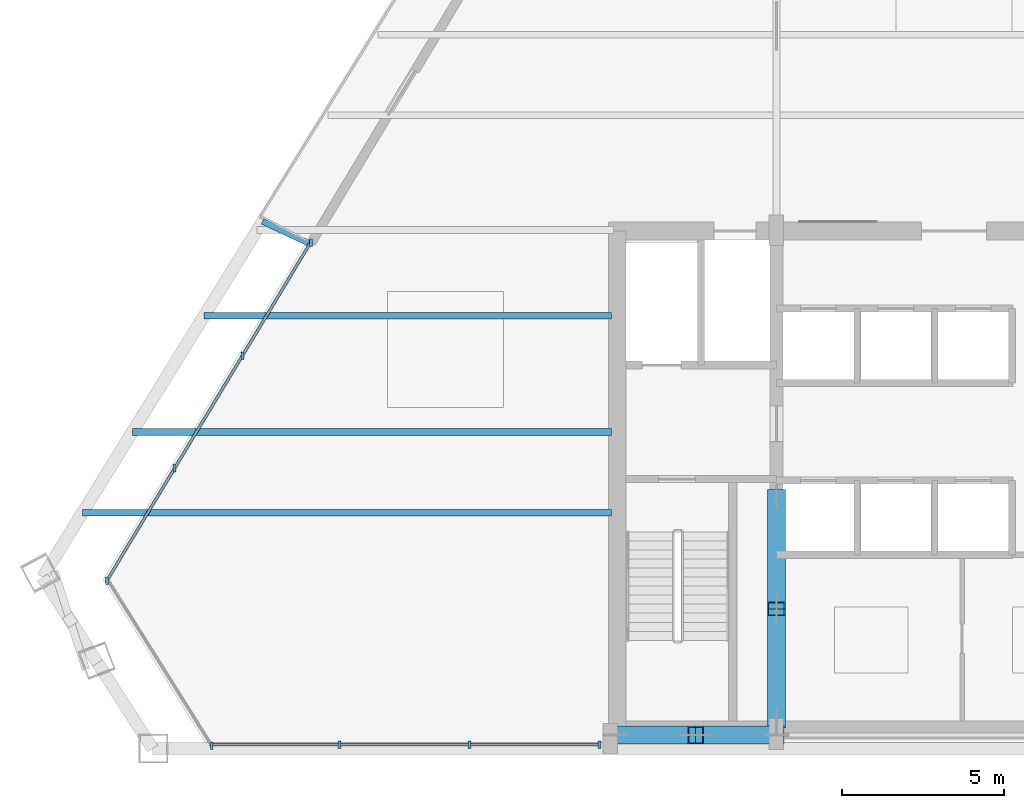
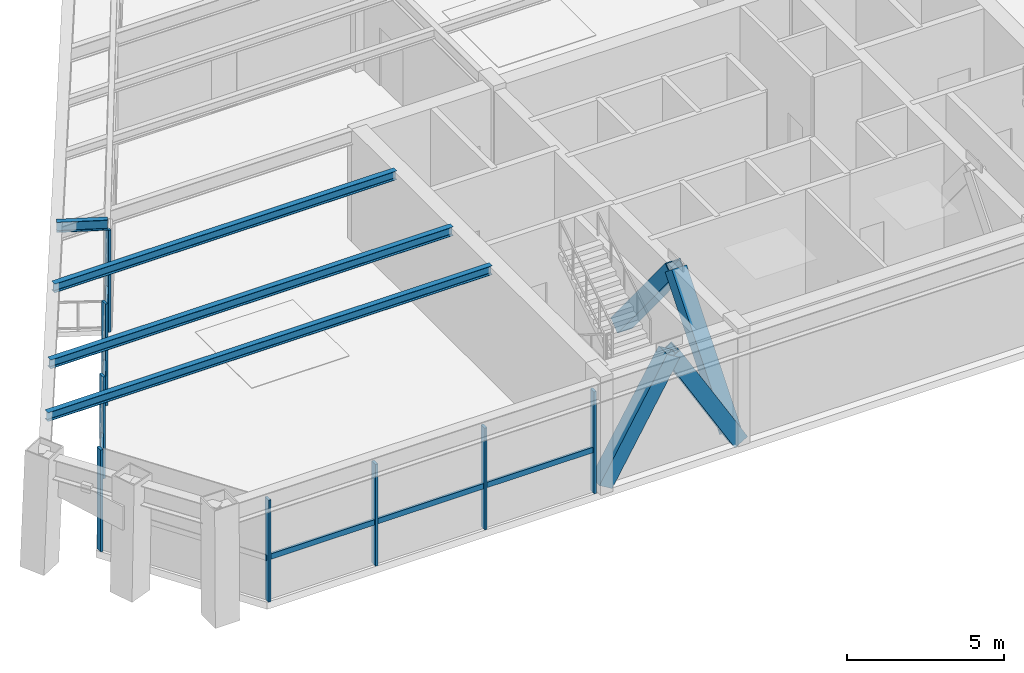
# One storey, part 2 of 11: 18 members, 4 beams, 3 elements without a shape of their own.
"""IFC4 building model written with IfcOpenShell, lengths in metres."""

from ifc_helpers import new_model, si_unit, direction, frame, origin, origin_2d, place, context, subcontext, project, spatial, rectangle, hollow_rectangle, i_section, extrude, source, transform, mapped, material, material_profile, profile_set, type_object, type_shapes, element, aggregate, save


model = new_model("IFC4")

# Units and contexts
model_context = context("Model", 3, precision=1e-05, world=origin(), true_north=direction((0.0, 1.0)))
body_context = subcontext(model_context, "Body", "Model", "MODEL_VIEW")
ifc_project = project(units=[si_unit("LENGTHUNIT", "METRE"), si_unit("AREAUNIT", "SQUARE_METRE"), si_unit("VOLUMEUNIT", "CUBIC_METRE"), si_unit("PLANEANGLEUNIT", "RADIAN"), si_unit("MASSUNIT", "GRAM", prefix="KILO")], contexts=[model_context])

# Site, building, storey
site_placement = place(None, origin())
site = spatial("IfcSite", under=ifc_project, at=site_placement, CompositionType="ELEMENT")
building_placement = place(site_placement, origin())
building = spatial("IfcBuilding", under=site, at=building_placement, Name="Varnakhor Terracotta Tower", CompositionType="ELEMENT")
storey_placement = place(building_placement, frame((0.0, 0.0, 215.39990234375)))
storey = spatial("IfcBuildingStorey", under=building, at=storey_placement, Name="L55", CompositionType="ELEMENT", Elevation=215.39990234375)

# Beams
ifc_material_1 = material(Name="Steel S355", Category="steel")
ifc_material_profile_1 = material_profile(ifc_material_1, i_section(OverallWidth=0.202880859375, OverallDepth=0.346923828125, WebThickness=0.0078125, FlangeThickness=0.013427734375, FilletRadius=0.01806640625, at=origin_2d()), Name="W14X43")
ifc_profile_set_1 = profile_set([ifc_material_profile_1], Name="Steel S355")
beam_type_1 = type_object("IfcBeamType", Name="JST-W14X43", PredefinedType="JOIST", material=ifc_profile_set_1)
shared_shape_1 = source(origin(), body_context, "Body", "SweptSolid", [
    extrude(i_section(OverallWidth=0.202880859375, OverallDepth=0.346923828125, WebThickness=0.0078125, FlangeThickness=0.013427734375, FilletRadius=0.01806640625, at=origin_2d()), origin(), (0.0, 0.0, 1.0), 16.38427734375),
])
type_shapes(beam_type_1, [shared_shape_1])
beam_1_placement = place(storey_placement, frame((-26.984375, 7.300048828125, 4.216552734375), z_axis=(1.0, 0.0, 0.0), x_axis=(0.0, 1.0, 0.0)))
element("IfcBeam", 1, at=beam_1_placement, inside=storey, type_object=beam_type_1, Name="L55 Floor Joist W1", PredefinedType="JOIST", context=body_context, shape_type="MappedRepresentation", body=[
    mapped(shared_shape_1, transform((0.0, 0.0, 0.0), scale=1.0)),
])
shared_shape_2 = source(origin(), body_context, "Body", "SweptSolid", [
    extrude(i_section(OverallWidth=0.202880859375, OverallDepth=0.346923828125, WebThickness=0.0078125, FlangeThickness=0.013427734375, FilletRadius=0.01806640625, at=origin_2d()), origin(), (0.0, 0.0, 1.0), 14.83935546875),
])
beam_2_placement = place(storey_placement, frame((-25.439453125, 9.800048828125, 4.216552734375), z_axis=(1.0, 0.0, 0.0), x_axis=(0.0, 1.0, 0.0)))
element("IfcBeam", 2, at=beam_2_placement, inside=storey, type_object=beam_type_1, Name="L55 Floor Joist W2", PredefinedType="JOIST", context=body_context, shape_type="MappedRepresentation", body=[
    mapped(shared_shape_2, transform((0.0, 0.0, 0.0), scale=1.0)),
])
shared_shape_3 = source(origin(), body_context, "Body", "SweptSolid", [
    extrude(i_section(OverallWidth=0.202880859375, OverallDepth=0.346923828125, WebThickness=0.0078125, FlangeThickness=0.013427734375, FilletRadius=0.01806640625, at=origin_2d()), origin(), (0.0, 0.0, 1.0), 12.614501953125),
])
beam_3_placement = place(storey_placement, frame((-23.214599609375, 13.39990234375, 4.216552734375), z_axis=(1.0, 0.0, 0.0), x_axis=(0.0, 1.0, 0.0)))
element("IfcBeam", 3, at=beam_3_placement, inside=storey, type_object=beam_type_1, Name="L55 Floor Joist W3", PredefinedType="JOIST", context=body_context, shape_type="MappedRepresentation", body=[
    mapped(shared_shape_3, transform((0.0, 0.0, 0.0), scale=1.0)),
])

# Members
ifc_material_profile_2 = material_profile(ifc_material_1, hollow_rectangle(XDim=0.550048828125, YDim=0.550048828125, WallThickness=0.034912109375, at=origin_2d()), Name="HSS550X550X35")
ifc_profile_set_2 = profile_set([ifc_material_profile_2], Name="Steel S355")
member_type_1 = type_object("IfcMemberType", Name="MBR-MEGA-550", PredefinedType="BRACE", material=ifc_profile_set_2)
shared_shape_4 = source(origin(), body_context, "Body", "SweptSolid", [
    extrude(hollow_rectangle(XDim=0.550048828125, YDim=0.550048828125, WallThickness=0.034912109375, at=origin_2d()), origin(), (0.0, 0.0, 1.0), 4.922119140625),
])
type_shapes(member_type_1, [shared_shape_4])
for number, where, z_axis, x_axis, name in (
    (4, (-10.5, 0.419921875, 0.0), (0.507908584864, 0.0, 0.861410975912), (0.0, 1.0, 0.0), "L55 Core Coupled Brace CSWA"),
    (5, (-5.5, 0.419921875, 0.0), (-0.507908584864, 0.0, 0.861410975912), (0.0, -1.0, 0.0), "L55 Core Coupled Brace CSWB"),
):
    element("IfcMember", number, at=place(storey_placement, frame(where, z_axis=z_axis, x_axis=x_axis)), inside=storey, type_object=member_type_1, Name=name, PredefinedType="BRACE", context=body_context, shape_type="MappedRepresentation", body=[
        mapped(shared_shape_4, transform((0.0, 0.0, 0.0), scale=1.0)),
    ])
shared_shape_5 = source(origin(), body_context, "Body", "SweptSolid", [
    extrude(hollow_rectangle(XDim=0.550048828125, YDim=0.550048828125, WallThickness=0.034912109375, at=origin_2d()), origin(), (0.0, 0.0, 1.0), 5.48193359375),
])
member_1_placement = place(storey_placement, frame((-5.5, 0.85009765625, 0.0), z_axis=(0.0, 0.633868126617, 0.773441140656), x_axis=(-1.0, 0.0, 0.0)))
element("IfcMember", 6, at=member_1_placement, inside=storey, type_object=member_type_1, Name="L55 Core Coupled Brace CWWA", PredefinedType="BRACE", context=body_context, shape_type="MappedRepresentation", body=[
    mapped(shared_shape_5, transform((0.0, 0.0, 0.0), scale=1.0)),
])
shared_shape_6 = source(origin(), body_context, "Body", "SweptSolid", [
    extrude(hollow_rectangle(XDim=0.550048828125, YDim=0.550048828125, WallThickness=0.034912109375, at=origin_2d()), origin(), (0.0, 0.0, 1.0), 5.482177734375),
])
member_2_placement = place(storey_placement, frame((-5.5, 7.800048828125, 0.0), z_axis=(0.0, -0.633894766886, 0.773419307048), x_axis=(1.0, 0.0, 0.0)))
element("IfcMember", 7, at=member_2_placement, inside=storey, type_object=member_type_1, Name="L55 Core Coupled Brace CWWB", PredefinedType="BRACE", context=body_context, shape_type="MappedRepresentation", body=[
    mapped(shared_shape_6, transform((0.0, 0.0, 0.0), scale=1.0)),
])

# Curtain wall, members
ifc_material_2 = material(Name="Anodised Aluminium Curtain Wall System", Category="aluminium")
curtain_wall_type = type_object("IfcCurtainWallType", Name="CW-SYS-SKYLOBBY", PredefinedType="NOTDEFINED", material=ifc_material_2)
curtain_wall_1_placement = place(storey_placement, origin())
curtain_wall_1 = element("IfcCurtainWall", 8, at=curtain_wall_1_placement, inside=storey, type_object=curtain_wall_type, Name="L55 W Facet Curtain Wall 1", PredefinedType="NOTDEFINED")
ifc_material_3 = material(Name="Anodised Aluminium 6063-T6", Category="aluminium")
ifc_material_profile_3 = material_profile(ifc_material_3, rectangle(XDim=0.090087890625, YDim=0.239990234375, at=origin_2d()), Name="ALU MULLION 90x240")
ifc_profile_set_3 = profile_set([ifc_material_profile_3], Name="Anodised Aluminium 6063-T6")
member_type_2 = type_object("IfcMemberType", Name="CWM-05", PredefinedType="MULLION", material=ifc_profile_set_3)
shared_shape_7 = source(origin(), body_context, "Body", "SweptSolid", [
    extrude(rectangle(XDim=0.090087890625, YDim=0.239990234375, at=origin_2d()), origin(), (0.0, 0.0, 1.0), 3.97021484375),
])
member_3_placement = place(storey_placement, frame((-26.22900390625, 5.194091796875, 0.0), z_axis=(0.0, 0.0, 1.0), x_axis=(1.0, 0.0, 0.0)))
member_3 = element("IfcMember", 9, at=member_3_placement, type_object=member_type_2, Name="L55 W Facet Curtain Wall 1 Mullion 1", PredefinedType="MULLION", context=body_context, shape_type="MappedRepresentation", body=[
    mapped(shared_shape_7, transform((0.0, 0.0, 0.0), scale=1.0)),
])
member_4_placement = place(storey_placement, frame((-24.131103515625, 8.676025390625, 0.0), z_axis=(0.0, 0.0, 1.0), x_axis=(1.0, 0.0, 0.0)))
member_4 = element("IfcMember", 10, at=member_4_placement, type_object=member_type_2, Name="L55 W Facet Curtain Wall 1 Mullion 2", PredefinedType="MULLION", context=body_context, shape_type="MappedRepresentation", body=[
    mapped(shared_shape_7, transform((0.0, 0.0, 0.0), scale=1.0)),
])
member_5_placement = place(storey_placement, frame((-22.033203125, 12.158203125, 0.0), z_axis=(0.0, 0.0, 1.0), x_axis=(1.0, 0.0, 0.0)))
member_5 = element("IfcMember", 11, at=member_5_placement, type_object=member_type_2, Name="L55 W Facet Curtain Wall 1 Mullion 3", PredefinedType="MULLION", context=body_context, shape_type="MappedRepresentation", body=[
    mapped(shared_shape_7, transform((0.0, 0.0, 0.0), scale=1.0)),
])
member_6_placement = place(storey_placement, frame((-19.902587890625, 15.65576171875, 0.0), z_axis=(0.0, 0.0, 1.0), x_axis=(1.0, 0.0, 0.0)))
member_6 = element("IfcMember", 12, at=member_6_placement, type_object=member_type_2, Name="L55 W Loggia Jamb Closure Mullion 1", PredefinedType="MULLION", context=body_context, shape_type="MappedRepresentation", body=[
    mapped(shared_shape_7, transform((0.0, 0.0, 0.0), scale=1.0)),
])

curtain_wall_2_placement = place(storey_placement, origin())
curtain_wall_2 = element("IfcCurtainWall", 13, at=curtain_wall_2_placement, inside=storey, type_object=curtain_wall_type, Name="L55 South Wing Curtain Wall SSW", PredefinedType="NOTDEFINED")
member_7_placement = place(storey_placement, frame((-10.969970703125, 0.1201171875, 0.0), z_axis=(0.0, 0.0, 1.0), x_axis=(1.0, 0.0, 0.0)))
member_7 = element("IfcMember", 14, at=member_7_placement, type_object=member_type_2, Name="L55 South Wing Curtain Wall SSW Mullion 1", PredefinedType="MULLION", context=body_context, shape_type="MappedRepresentation", body=[
    mapped(shared_shape_7, transform((0.0, 0.0, 0.0), scale=1.0)),
])
member_8_placement = place(storey_placement, frame((-14.998291015625, 0.1201171875, 0.0), z_axis=(0.0, 0.0, 1.0), x_axis=(1.0, 0.0, 0.0)))
member_8 = element("IfcMember", 15, at=member_8_placement, type_object=member_type_2, Name="L55 South Wing Curtain Wall SSW Mullion 2", PredefinedType="MULLION", context=body_context, shape_type="MappedRepresentation", body=[
    mapped(shared_shape_7, transform((0.0, 0.0, 0.0), scale=1.0)),
])
member_9_placement = place(storey_placement, frame((-19.026611328125, 0.1201171875, 0.0), z_axis=(0.0, 0.0, 1.0), x_axis=(1.0, 0.0, 0.0)))
member_9 = element("IfcMember", 16, at=member_9_placement, type_object=member_type_2, Name="L55 South Wing Curtain Wall SSW Mullion 3", PredefinedType="MULLION", context=body_context, shape_type="MappedRepresentation", body=[
    mapped(shared_shape_7, transform((0.0, 0.0, 0.0), scale=1.0)),
])

# Curtain wall, member
curtain_wall_3_placement = place(storey_placement, origin())
curtain_wall_3 = element("IfcCurtainWall", 17, at=curtain_wall_3_placement, inside=storey, type_object=curtain_wall_type, Name="L55 Facet Curtain Wall 6", PredefinedType="NOTDEFINED")
member_10_placement = place(storey_placement, frame((-22.979248046875, 0.089111328125, 0.0), z_axis=(0.0, 0.0, 1.0), x_axis=(1.0, 0.0, 0.0)))
member_10 = element("IfcMember", 18, at=member_10_placement, type_object=member_type_2, Name="L55 Facet Curtain Wall 6 Mullion 1", PredefinedType="MULLION", context=body_context, shape_type="MappedRepresentation", body=[
    mapped(shared_shape_7, transform((0.0, 0.0, 0.0), scale=1.0)),
])
aggregate(curtain_wall_3, [member_10])

# Member
ifc_material_profile_4 = material_profile(ifc_material_3, rectangle(XDim=0.090087890625, YDim=0.2099609375, at=origin_2d()), Name="ALU TRANSOM 90x210")
ifc_profile_set_4 = profile_set([ifc_material_profile_4], Name="Anodised Aluminium 6063-T6")
member_type_3 = type_object("IfcMemberType", Name="CWT-05", PredefinedType="USERDEFINED", material=ifc_profile_set_4)
shared_shape_8 = source(origin(), body_context, "Body", "SweptSolid", [
    extrude(rectangle(XDim=0.090087890625, YDim=0.2099609375, at=origin_2d()), origin(), (0.0, 0.0, 1.0), 4.065185546875),
])
member_11_placement = place(storey_placement, frame((-26.22900390625, 5.194091796875, 1.66748046875), z_axis=(0.516075811633, 0.856542909986, 0.0), x_axis=(-0.856542909986, 0.516075811633, 0.0)))
member_11 = element("IfcMember", 19, at=member_11_placement, type_object=member_type_3, Name="L55 W Facet Curtain Wall 1 Transom 1", ObjectType="TRANSOM", PredefinedType="USERDEFINED", context=body_context, shape_type="MappedRepresentation", body=[
    mapped(shared_shape_8, transform((0.0, 0.0, 0.0), scale=1.0)),
])

shared_shape_9 = source(origin(), body_context, "Body", "SweptSolid", [
    extrude(rectangle(XDim=0.090087890625, YDim=0.2099609375, at=origin_2d()), origin(), (0.0, 0.0, 1.0), 4.0654296875),
])
member_12_placement = place(storey_placement, frame((-24.131103515625, 8.676025390625, 1.66748046875), z_axis=(0.516049264781, 0.856558904174, 0.0), x_axis=(-0.856558904174, 0.516049264781, 0.0)))
member_12 = element("IfcMember", 20, at=member_12_placement, type_object=member_type_3, Name="L55 W Facet Curtain Wall 1 Transom 2", ObjectType="TRANSOM", PredefinedType="USERDEFINED", context=body_context, shape_type="MappedRepresentation", body=[
    mapped(shared_shape_9, transform((0.0, 0.0, 0.0), scale=1.0)),
])

member_13_placement = place(storey_placement, frame((-22.033203125, 12.158203125, 1.66748046875), z_axis=(0.516049264781, 0.856558904174, 0.0), x_axis=(-0.856558904174, 0.516049264781, 0.0)))
member_13 = element("IfcMember", 21, at=member_13_placement, type_object=member_type_3, Name="L55 W Facet Curtain Wall 1 Transom 3", ObjectType="TRANSOM", PredefinedType="USERDEFINED", context=body_context, shape_type="MappedRepresentation", body=[
    mapped(shared_shape_9, transform((0.0, 0.0, 0.0), scale=1.0)),
])

aggregate(curtain_wall_1, [member_3, member_11, member_4, member_12, member_5, member_13, member_6])

shared_shape_10 = source(origin(), body_context, "Body", "SweptSolid", [
    extrude(rectangle(XDim=0.090087890625, YDim=0.2099609375, at=origin_2d()), origin(), (0.0, 0.0, 1.0), 4.0283203125),
])
member_14_placement = place(storey_placement, frame((-10.969970703125, 0.1201171875, 1.66748046875), z_axis=(-1.0, 0.0, 0.0), x_axis=(0.0, -1.0, 0.0)))
member_14 = element("IfcMember", 22, at=member_14_placement, type_object=member_type_3, Name="L55 South Wing Curtain Wall SSW Transom 1", ObjectType="TRANSOM", PredefinedType="USERDEFINED", context=body_context, shape_type="MappedRepresentation", body=[
    mapped(shared_shape_10, transform((0.0, 0.0, 0.0), scale=1.0)),
])

member_15_placement = place(storey_placement, frame((-14.998291015625, 0.1201171875, 1.66748046875), z_axis=(-1.0, 0.0, 0.0), x_axis=(0.0, -1.0, 0.0)))
member_15 = element("IfcMember", 23, at=member_15_placement, type_object=member_type_3, Name="L55 South Wing Curtain Wall SSW Transom 2", ObjectType="TRANSOM", PredefinedType="USERDEFINED", context=body_context, shape_type="MappedRepresentation", body=[
    mapped(shared_shape_10, transform((0.0, 0.0, 0.0), scale=1.0)),
])

member_16_placement = place(storey_placement, frame((-19.026611328125, 0.1201171875, 1.66748046875), z_axis=(-1.0, 0.0, 0.0), x_axis=(0.0, -1.0, 0.0)))
member_16 = element("IfcMember", 24, at=member_16_placement, type_object=member_type_3, Name="L55 South Wing Curtain Wall SSW Transom 3", ObjectType="TRANSOM", PredefinedType="USERDEFINED", context=body_context, shape_type="MappedRepresentation", body=[
    mapped(shared_shape_10, transform((0.0, 0.0, 0.0), scale=1.0)),
])

aggregate(curtain_wall_2, [member_7, member_14, member_8, member_15, member_9, member_16])

# Beam
ifc_material_profile_5 = material_profile(ifc_material_1, i_section(OverallWidth=0.179931640625, OverallDepth=0.39990234375, WebThickness=0.008544921875, FlangeThickness=0.013427734375, FilletRadius=0.01806640625, at=origin_2d()), Name="IPE400")
ifc_profile_set_5 = profile_set([ifc_material_profile_5], Name="Steel S355")
beam_type_2 = type_object("IfcBeamType", Name="JST-IPE400", PredefinedType="JOIST", material=ifc_profile_set_5)
shared_shape_11 = source(origin(), body_context, "Body", "SweptSolid", [
    extrude(i_section(OverallWidth=0.179931640625, OverallDepth=0.39990234375, WebThickness=0.008544921875, FlangeThickness=0.013427734375, FilletRadius=0.01806640625, at=origin_2d()), origin(), (0.0, 0.0, 1.0), 1.639404296875),
])
beam_4_placement = place(storey_placement, frame((-19.928466796875, 15.617919921875, 4.190185546875), z_axis=(-0.903583143092, 0.428412772359, 0.0), x_axis=(-0.428412772359, -0.903583143092, 0.0)))
element("IfcBeam", 25, at=beam_4_placement, inside=storey, type_object=beam_type_2, Name="L56 W Loggia Tie Beam 1", PredefinedType="JOIST", context=body_context, shape_type="MappedRepresentation", body=[
    mapped(shared_shape_11, transform((0.0, 0.0, 0.0), scale=1.0)),
])

save(model, "model.ifc")
